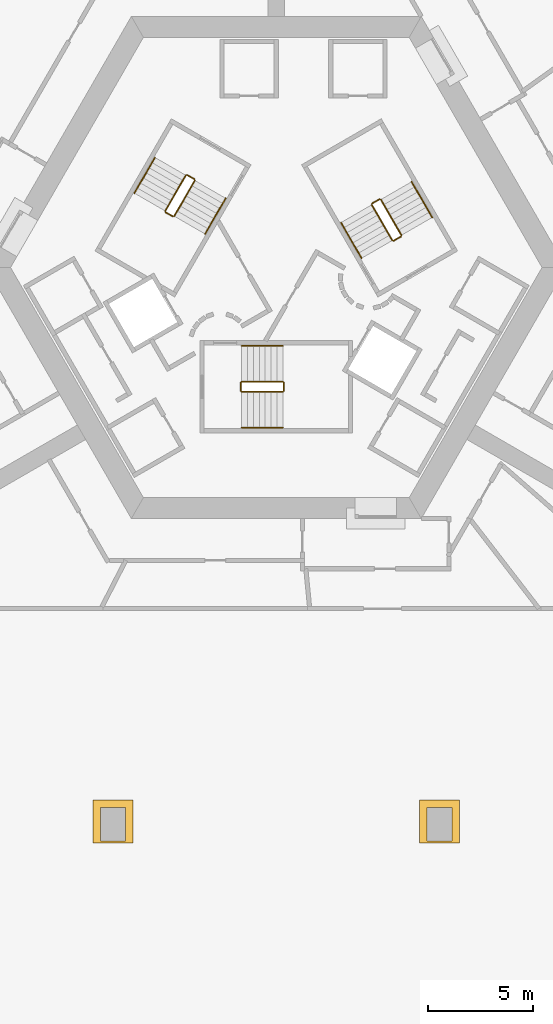
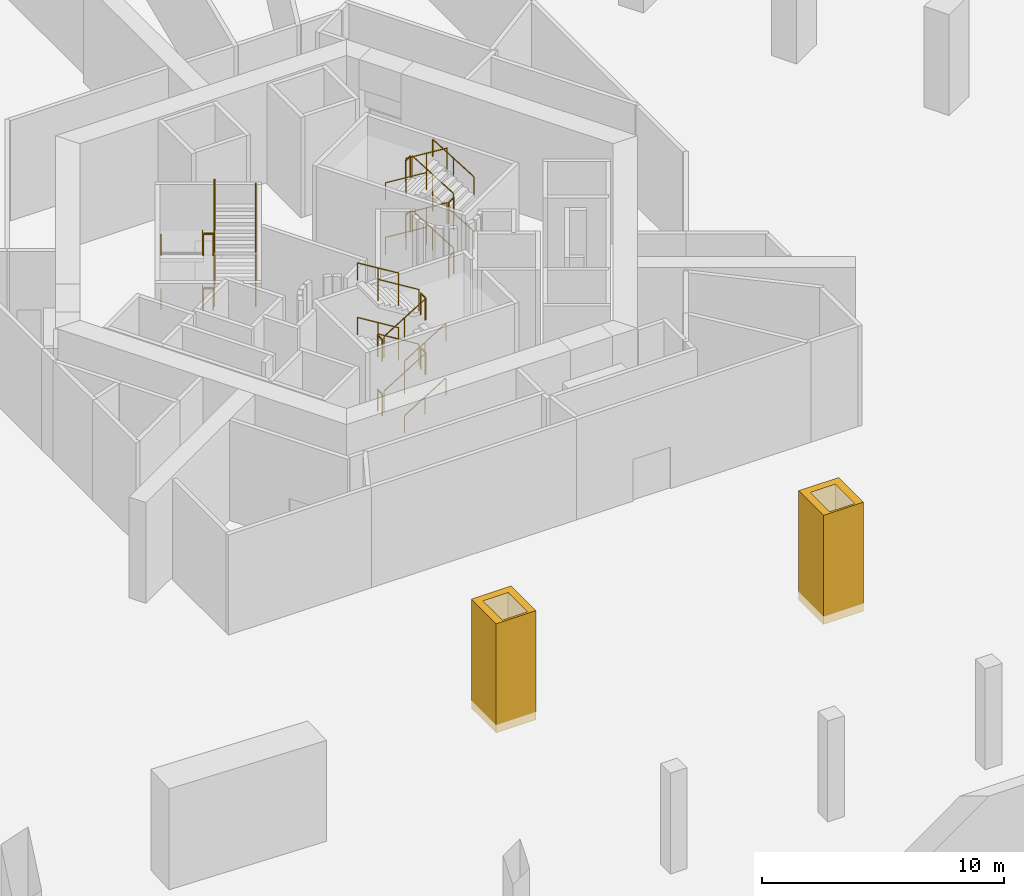
# One storey, part 11 of 12: 36 railings, 2 coverings.
"""IFC4 building model written with IfcOpenShell, lengths in metres."""

from ifc_helpers import new_model, si_unit, direction, frame, origin, origin_2d, place, context, subcontext, project, spatial, polyline, circle, outline, extrude, material, type_object, element, save


model = new_model("IFC4")

# Units and contexts
model_context = context("Model", 3, precision=1e-05, world=origin(), true_north=direction((0.0, 1.0)))
body_context = subcontext(model_context, "Body", "Model", "MODEL_VIEW")
ifc_project = project(units=[si_unit("LENGTHUNIT", "METRE"), si_unit("AREAUNIT", "SQUARE_METRE"), si_unit("VOLUMEUNIT", "CUBIC_METRE"), si_unit("PLANEANGLEUNIT", "RADIAN"), si_unit("MASSUNIT", "GRAM", prefix="KILO")], contexts=[model_context])

# Site, building, storey
site_placement = place(None, origin())
site = spatial("IfcSite", under=ifc_project, at=site_placement, CompositionType="ELEMENT")
building_placement = place(site_placement, origin())
building = spatial("IfcBuilding", under=site, at=building_placement, Name="Entoto Arch Interchange Tower", CompositionType="ELEMENT")
storey_placement = place(building_placement, frame((0.0, 0.0, -11.0)))
storey = spatial("IfcBuildingStorey", under=building, at=storey_placement, Name="B2", CompositionType="ELEMENT", Elevation=-11.0)

# Coverings
ifc_material_1 = material(Name="Board-marked precast concrete C50/60", Category="concrete")
covering_type = type_object("IfcCoveringType", Name="PRECAST FRAME COURSE", PredefinedType="CLADDING", material=ifc_material_1)
covering_1_placement = place(storey_placement, frame((0.0, 0.0, -0.419921875)))
element("IfcCovering", 1, at=covering_1_placement, inside=storey, type_object=covering_type, Name="Gate pier B2", PredefinedType="CLADDING", context=body_context, shape_type="SweptSolid", body=[
    extrude(outline(polyline([(-8.75, -22.949951171875), (-6.85009765625, -22.949951171875), (-6.85009765625, -24.9990234375), (-8.75, -24.9990234375), (-8.75, -22.949951171875)]), holes=[polyline([(-8.39990234375, -23.300048828125), (-8.39990234375, -24.89990234375), (-7.199951171875, -24.89990234375), (-7.199951171875, -23.300048828125), (-8.39990234375, -23.300048828125)])]), origin(), (0.0, 0.0, 1.0), 5.5),
])
covering_2_placement = place(storey_placement, frame((0.0, 0.0, -0.419921875)))
element("IfcCovering", 2, at=covering_2_placement, inside=storey, type_object=covering_type, Name="Gate pier B2", PredefinedType="CLADDING", context=body_context, shape_type="SweptSolid", body=[
    extrude(outline(polyline([(6.85009765625, -22.949951171875), (8.75, -22.949951171875), (8.75, -24.9990234375), (6.85009765625, -24.9990234375), (6.85009765625, -22.949951171875)]), holes=[polyline([(7.199951171875, -23.300048828125), (7.199951171875, -24.89990234375), (8.39990234375, -24.89990234375), (8.39990234375, -23.300048828125), (7.199951171875, -23.300048828125)])]), origin(), (0.0, 0.0, 1.0), 5.5),
])

# Railings
ifc_material_2 = material(Name="Stainless steel 1.4301", Category="steel")
railing_type_1 = type_object("IfcRailingType", Name="STAIR GUARD 1100 STEEL", PredefinedType="GUARDRAIL", material=ifc_material_2)
railing_1_placement = place(storey_placement, frame((-1.64990234375, -3.449951171875, 0.171875)))
element("IfcRailing", 3, at=railing_1_placement, inside=storey, type_object=railing_type_1, Name="B2 ST-S stair guard 1", PredefinedType="GUARDRAIL", context=body_context, shape_type="SweptSolid", body=[
    extrude(circle(Radius=0.02392578125, at=origin_2d()), frame((0.0, 0.0, 1.076171875), z_axis=(0.852240978134, 0.0, 0.523149419562), x_axis=(0.0, 1.0, 0.0)), (0.0, 0.0, 1.0), 2.2998046875),
    extrude(circle(Radius=0.02099609375, at=origin_2d()), origin(), (0.0, 0.0, 1.0), 1.052001953125),
    extrude(circle(Radius=0.02099609375, at=origin_2d()), frame((0.97998046875, 0.0, 0.6015625)), (0.0, 0.0, 1.0), 1.052001953125),
    extrude(circle(Radius=0.02099609375, at=origin_2d()), frame((1.9599609375, 0.0, 1.203125)), (0.0, 0.0, 1.0), 1.052001953125),
])
railing_2_placement = place(storey_placement, frame((0.360107421875, -3.39990234375, 1.375)))
element("IfcRailing", 4, at=railing_2_placement, inside=storey, type_object=railing_type_1, Name="B2 ST-S stair guard 2", PredefinedType="GUARDRAIL", context=body_context, shape_type="SweptSolid", body=[
    extrude(circle(Radius=0.02392578125, at=origin_2d()), frame((0.0, 0.0, 1.076171875), z_axis=(0.0, 1.0, 0.0), x_axis=(-1.0, 0.0, 0.0)), (0.0, 0.0, 1.0), 0.39990234375),
    extrude(circle(Radius=0.02099609375, at=origin_2d()), origin(), (0.0, 0.0, 1.0), 1.052001953125),
    extrude(circle(Radius=0.02099609375, at=origin_2d()), frame((0.0, 0.39990234375, 0.0)), (0.0, 0.0, 1.0), 1.052001953125),
])
railing_3_placement = place(storey_placement, frame((0.31005859375, -2.949951171875, 1.546875)))
element("IfcRailing", 5, at=railing_3_placement, inside=storey, type_object=railing_type_1, Name="B2 ST-S stair guard 3", PredefinedType="GUARDRAIL", context=body_context, shape_type="SweptSolid", body=[
    extrude(circle(Radius=0.02392578125, at=origin_2d()), frame((0.0, 0.0, 1.076171875), z_axis=(-0.852240978134, 0.0, 0.523149419562), x_axis=(0.0, -1.0, 0.0)), (0.0, 0.0, 1.0), 2.2998046875),
    extrude(circle(Radius=0.02099609375, at=origin_2d()), origin(), (0.0, 0.0, 1.0), 1.052001953125),
    extrude(circle(Radius=0.02099609375, at=origin_2d()), frame((-0.97998046875, 0.0, 0.6015625)), (0.0, 0.0, 1.0), 1.052001953125),
    extrude(circle(Radius=0.02099609375, at=origin_2d()), frame((-1.9599609375, 0.0, 1.203125)), (0.0, 0.0, 1.0), 1.052001953125),
])
railing_4_placement = place(storey_placement, frame((-1.699951171875, -3.39990234375, 2.75)))
element("IfcRailing", 6, at=railing_4_placement, inside=storey, type_object=railing_type_1, Name="B2 ST-S stair guard 4", PredefinedType="GUARDRAIL", context=body_context, shape_type="SweptSolid", body=[
    extrude(circle(Radius=0.02392578125, at=origin_2d()), frame((0.0, 0.0, 1.076171875), z_axis=(0.0, 1.0, 0.0), x_axis=(-1.0, 0.0, 0.0)), (0.0, 0.0, 1.0), 0.39990234375),
    extrude(circle(Radius=0.02099609375, at=origin_2d()), origin(), (0.0, 0.0, 1.0), 1.052001953125),
    extrude(circle(Radius=0.02099609375, at=origin_2d()), frame((0.0, 0.39990234375, 0.0)), (0.0, 0.0, 1.0), 1.052001953125),
])
railing_5_placement = place(storey_placement, frame((-1.64990234375, -3.449951171875, 2.921875)))
element("IfcRailing", 7, at=railing_5_placement, inside=storey, type_object=railing_type_1, Name="B2 ST-S stair guard 5", PredefinedType="GUARDRAIL", context=body_context, shape_type="SweptSolid", body=[
    extrude(circle(Radius=0.02392578125, at=origin_2d()), frame((0.0, 0.0, 1.076171875), z_axis=(0.852240978134, 0.0, 0.523149419562), x_axis=(0.0, 1.0, 0.0)), (0.0, 0.0, 1.0), 2.2998046875),
    extrude(circle(Radius=0.02099609375, at=origin_2d()), origin(), (0.0, 0.0, 1.0), 1.052001953125),
    extrude(circle(Radius=0.02099609375, at=origin_2d()), frame((0.97998046875, 0.0, 0.6015625)), (0.0, 0.0, 1.0), 1.052001953125),
    extrude(circle(Radius=0.02099609375, at=origin_2d()), frame((1.9599609375, 0.0, 1.203125)), (0.0, 0.0, 1.0), 1.052001953125),
])
railing_6_placement = place(storey_placement, frame((0.360107421875, -3.39990234375, 4.125)))
element("IfcRailing", 8, at=railing_6_placement, inside=storey, type_object=railing_type_1, Name="B2 ST-S stair guard 6", PredefinedType="GUARDRAIL", context=body_context, shape_type="SweptSolid", body=[
    extrude(circle(Radius=0.02392578125, at=origin_2d()), frame((0.0, 0.0, 1.076171875), z_axis=(0.0, 1.0, 0.0), x_axis=(-1.0, 0.0, 0.0)), (0.0, 0.0, 1.0), 0.39990234375),
    extrude(circle(Radius=0.02099609375, at=origin_2d()), origin(), (0.0, 0.0, 1.0), 1.052001953125),
    extrude(circle(Radius=0.02099609375, at=origin_2d()), frame((0.0, 0.39990234375, 0.0)), (0.0, 0.0, 1.0), 1.052001953125),
])
railing_7_placement = place(storey_placement, frame((0.31005859375, -2.949951171875, 4.296875)))
element("IfcRailing", 9, at=railing_7_placement, inside=storey, type_object=railing_type_1, Name="B2 ST-S stair guard 7", PredefinedType="GUARDRAIL", context=body_context, shape_type="SweptSolid", body=[
    extrude(circle(Radius=0.02392578125, at=origin_2d()), frame((0.0, 0.0, 1.076171875), z_axis=(-0.852240978134, 0.0, 0.523149419562), x_axis=(0.0, -1.0, 0.0)), (0.0, 0.0, 1.0), 2.2998046875),
    extrude(circle(Radius=0.02099609375, at=origin_2d()), origin(), (0.0, 0.0, 1.0), 1.052001953125),
    extrude(circle(Radius=0.02099609375, at=origin_2d()), frame((-0.97998046875, 0.0, 0.6015625)), (0.0, 0.0, 1.0), 1.052001953125),
    extrude(circle(Radius=0.02099609375, at=origin_2d()), frame((-1.9599609375, 0.0, 1.203125)), (0.0, 0.0, 1.0), 1.052001953125),
])
railing_8_placement = place(storey_placement, frame((-1.699951171875, -3.39990234375, 0.0)))
element("IfcRailing", 10, at=railing_8_placement, inside=storey, type_object=railing_type_1, Name="B2 ST-S stair guard 8", PredefinedType="GUARDRAIL", context=body_context, shape_type="SweptSolid", body=[
    extrude(circle(Radius=0.02392578125, at=origin_2d()), frame((0.0, 0.0, 1.076171875), z_axis=(0.0, 1.0, 0.0), x_axis=(-1.0, 0.0, 0.0)), (0.0, 0.0, 1.0), 0.39990234375),
    extrude(circle(Radius=0.02099609375, at=origin_2d()), origin(), (0.0, 0.0, 1.0), 1.052001953125),
    extrude(circle(Radius=0.02099609375, at=origin_2d()), frame((0.0, 0.39990234375, 0.0)), (0.0, 0.0, 1.0), 1.052001953125),
])
railing_9_placement = place(storey_placement, frame((5.977783203125, 4.046142578125, 0.171875)))
element("IfcRailing", 11, at=railing_9_placement, inside=storey, type_object=railing_type_1, Name="B2 ST-NE stair guard 1", PredefinedType="GUARDRAIL", context=body_context, shape_type="SweptSolid", body=[
    extrude(circle(Radius=0.02392578125, at=origin_2d()), frame((0.0, 0.0, 1.076171875), z_axis=(-0.42613557846, 0.738040493636, 0.523167944856), x_axis=(-0.866011328839, -0.500024377727, 0.0)), (0.0, 0.0, 1.0), 2.2998046875),
    extrude(circle(Radius=0.02099609375, at=origin_2d()), origin(), (0.0, 0.0, 1.0), 1.052001953125),
    extrude(circle(Radius=0.02099609375, at=origin_2d()), frame((-0.489990234375, 0.8486328125, 0.6015625)), (0.0, 0.0, 1.0), 1.052001953125),
    extrude(circle(Radius=0.02099609375, at=origin_2d()), frame((-0.97998046875, 1.697265625, 1.203125)), (0.0, 0.0, 1.0), 1.052001953125),
])
railing_10_placement = place(storey_placement, frame((4.929443359375, 5.76171875, 1.375)))
element("IfcRailing", 12, at=railing_10_placement, inside=storey, type_object=railing_type_1, Name="B2 ST-NE stair guard 2", PredefinedType="GUARDRAIL", context=body_context, shape_type="SweptSolid", body=[
    extrude(circle(Radius=0.02392578125, at=origin_2d()), frame((0.0, 0.0, 1.076171875), z_axis=(-0.865941482684, -0.500145327446, 0.0), x_axis=(0.500145327446, -0.865941482684, 0.0)), (0.0, 0.0, 1.0), 0.39990234375),
    extrude(circle(Radius=0.02099609375, at=origin_2d()), origin(), (0.0, 0.0, 1.0), 1.052001953125),
    extrude(circle(Radius=0.02099609375, at=origin_2d()), frame((-0.34619140625, -0.199951171875, 0.0)), (0.0, 0.0, 1.0), 1.052001953125),
])
railing_11_placement = place(storey_placement, frame((4.56494140625, 5.493408203125, 1.546875)))
element("IfcRailing", 13, at=railing_11_placement, inside=storey, type_object=railing_type_1, Name="B2 ST-NE stair guard 3", PredefinedType="GUARDRAIL", context=body_context, shape_type="SweptSolid", body=[
    extrude(circle(Radius=0.02392578125, at=origin_2d()), frame((0.0, 0.0, 1.076171875), z_axis=(0.42613557846, -0.738040493636, 0.523167944856), x_axis=(0.866011328839, 0.500024377727, 0.0)), (0.0, 0.0, 1.0), 2.2998046875),
    extrude(circle(Radius=0.02099609375, at=origin_2d()), origin(), (0.0, 0.0, 1.0), 1.052001953125),
    extrude(circle(Radius=0.02099609375, at=origin_2d()), frame((0.489990234375, -0.8486328125, 0.6015625)), (0.0, 0.0, 1.0), 1.052001953125),
    extrude(circle(Radius=0.02099609375, at=origin_2d()), frame((0.97998046875, -1.697265625, 1.203125)), (0.0, 0.0, 1.0), 1.052001953125),
])
railing_12_placement = place(storey_placement, frame((5.95947265625, 3.977783203125, 2.75)))
element("IfcRailing", 14, at=railing_12_placement, inside=storey, type_object=railing_type_1, Name="B2 ST-NE stair guard 4", PredefinedType="GUARDRAIL", context=body_context, shape_type="SweptSolid", body=[
    extrude(circle(Radius=0.02392578125, at=origin_2d()), frame((0.0, 0.0, 1.076171875), z_axis=(-0.866094119867, -0.499880961361, 0.0), x_axis=(0.499880961361, -0.866094119867, 0.0)), (0.0, 0.0, 1.0), 0.39990234375),
    extrude(circle(Radius=0.02099609375, at=origin_2d()), origin(), (0.0, 0.0, 1.0), 1.052001953125),
    extrude(circle(Radius=0.02099609375, at=origin_2d()), frame((-0.346435546875, -0.199951171875, 0.0)), (0.0, 0.0, 1.0), 1.052001953125),
])
railing_13_placement = place(storey_placement, frame((5.977783203125, 4.046142578125, 2.921875)))
element("IfcRailing", 15, at=railing_13_placement, inside=storey, type_object=railing_type_1, Name="B2 ST-NE stair guard 5", PredefinedType="GUARDRAIL", context=body_context, shape_type="SweptSolid", body=[
    extrude(circle(Radius=0.02392578125, at=origin_2d()), frame((0.0, 0.0, 1.076171875), z_axis=(-0.42613557846, 0.738040493636, 0.523167944856), x_axis=(-0.866011328839, -0.500024377727, 0.0)), (0.0, 0.0, 1.0), 2.2998046875),
    extrude(circle(Radius=0.02099609375, at=origin_2d()), origin(), (0.0, 0.0, 1.0), 1.052001953125),
    extrude(circle(Radius=0.02099609375, at=origin_2d()), frame((-0.489990234375, 0.8486328125, 0.6015625)), (0.0, 0.0, 1.0), 1.052001953125),
    extrude(circle(Radius=0.02099609375, at=origin_2d()), frame((-0.97998046875, 1.697265625, 1.203125)), (0.0, 0.0, 1.0), 1.052001953125),
])
railing_14_placement = place(storey_placement, frame((4.929443359375, 5.76171875, 4.125)))
element("IfcRailing", 16, at=railing_14_placement, inside=storey, type_object=railing_type_1, Name="B2 ST-NE stair guard 6", PredefinedType="GUARDRAIL", context=body_context, shape_type="SweptSolid", body=[
    extrude(circle(Radius=0.02392578125, at=origin_2d()), frame((0.0, 0.0, 1.076171875), z_axis=(-0.865941482684, -0.500145327446, 0.0), x_axis=(0.500145327446, -0.865941482684, 0.0)), (0.0, 0.0, 1.0), 0.39990234375),
    extrude(circle(Radius=0.02099609375, at=origin_2d()), origin(), (0.0, 0.0, 1.0), 1.052001953125),
    extrude(circle(Radius=0.02099609375, at=origin_2d()), frame((-0.34619140625, -0.199951171875, 0.0)), (0.0, 0.0, 1.0), 1.052001953125),
])
railing_15_placement = place(storey_placement, frame((4.56494140625, 5.493408203125, 4.296875)))
element("IfcRailing", 17, at=railing_15_placement, inside=storey, type_object=railing_type_1, Name="B2 ST-NE stair guard 7", PredefinedType="GUARDRAIL", context=body_context, shape_type="SweptSolid", body=[
    extrude(circle(Radius=0.02392578125, at=origin_2d()), frame((0.0, 0.0, 1.076171875), z_axis=(0.42613557846, -0.738040493636, 0.523167944856), x_axis=(0.866011328839, 0.500024377727, 0.0)), (0.0, 0.0, 1.0), 2.2998046875),
    extrude(circle(Radius=0.02099609375, at=origin_2d()), origin(), (0.0, 0.0, 1.0), 1.052001953125),
    extrude(circle(Radius=0.02099609375, at=origin_2d()), frame((0.489990234375, -0.8486328125, 0.6015625)), (0.0, 0.0, 1.0), 1.052001953125),
    extrude(circle(Radius=0.02099609375, at=origin_2d()), frame((0.97998046875, -1.697265625, 1.203125)), (0.0, 0.0, 1.0), 1.052001953125),
])
railing_16_placement = place(storey_placement, frame((5.95947265625, 3.977783203125, 0.0)))
element("IfcRailing", 18, at=railing_16_placement, inside=storey, type_object=railing_type_1, Name="B2 ST-NE stair guard 8", PredefinedType="GUARDRAIL", context=body_context, shape_type="SweptSolid", body=[
    extrude(circle(Radius=0.02392578125, at=origin_2d()), frame((0.0, 0.0, 1.076171875), z_axis=(-0.866094119867, -0.499880961361, 0.0), x_axis=(0.499880961361, -0.866094119867, 0.0)), (0.0, 0.0, 1.0), 0.39990234375),
    extrude(circle(Radius=0.02099609375, at=origin_2d()), origin(), (0.0, 0.0, 1.0), 1.052001953125),
    extrude(circle(Radius=0.02099609375, at=origin_2d()), frame((-0.346435546875, -0.199951171875, 0.0)), (0.0, 0.0, 1.0), 1.052001953125),
])
railing_17_placement = place(storey_placement, frame((-4.327880859375, 6.904052734375, 0.171875)))
element("IfcRailing", 19, at=railing_17_placement, inside=storey, type_object=railing_type_1, Name="B2 ST-NW stair guard 1", PredefinedType="GUARDRAIL", context=body_context, shape_type="SweptSolid", body=[
    extrude(circle(Radius=0.02392578125, at=origin_2d()), frame((0.0, 0.0, 1.076171875), z_axis=(-0.426102191367, -0.738088823262, 0.52312695542), x_axis=(0.866042469362, -0.499970440388, 0.0)), (0.0, 0.0, 1.0), 2.2998046875),
    extrude(circle(Radius=0.02099609375, at=origin_2d()), origin(), (0.0, 0.0, 1.0), 1.052001953125),
    extrude(circle(Radius=0.02099609375, at=origin_2d()), frame((-0.489990234375, -0.8486328125, 0.6015625)), (0.0, 0.0, 1.0), 1.052001953125),
    extrude(circle(Radius=0.02099609375, at=origin_2d()), frame((-0.97998046875, -1.697509765625, 1.203125)), (0.0, 0.0, 1.0), 1.052001953125),
])
railing_18_placement = place(storey_placement, frame((-5.28955078125, 5.13818359375, 1.375)))
element("IfcRailing", 20, at=railing_18_placement, inside=storey, type_object=railing_type_1, Name="B2 ST-NW stair guard 2", PredefinedType="GUARDRAIL", context=body_context, shape_type="SweptSolid", body=[
    extrude(circle(Radius=0.02392578125, at=origin_2d()), frame((0.0, 0.0, 1.076171875), z_axis=(0.866094119867, -0.499880961361, 0.0), x_axis=(0.499880961361, 0.866094119867, 0.0)), (0.0, 0.0, 1.0), 0.39990234375),
    extrude(circle(Radius=0.02099609375, at=origin_2d()), origin(), (0.0, 0.0, 1.0), 1.052001953125),
    extrude(circle(Radius=0.02099609375, at=origin_2d()), frame((0.346435546875, -0.199951171875, 0.0)), (0.0, 0.0, 1.0), 1.052001953125),
])
railing_19_placement = place(storey_placement, frame((-4.874755859375, 4.95654296875, 1.546875)))
element("IfcRailing", 21, at=railing_19_placement, inside=storey, type_object=railing_type_1, Name="B2 ST-NW stair guard 3", PredefinedType="GUARDRAIL", context=body_context, shape_type="SweptSolid", body=[
    extrude(circle(Radius=0.02392578125, at=origin_2d()), frame((0.0, 0.0, 1.076171875), z_axis=(0.426102191367, 0.738088823262, 0.52312695542), x_axis=(-0.866042469362, 0.499970440388, 0.0)), (0.0, 0.0, 1.0), 2.2998046875),
    extrude(circle(Radius=0.02099609375, at=origin_2d()), origin(), (0.0, 0.0, 1.0), 1.052001953125),
    extrude(circle(Radius=0.02099609375, at=origin_2d()), frame((0.489990234375, 0.8486328125, 0.6015625)), (0.0, 0.0, 1.0), 1.052001953125),
    extrude(circle(Radius=0.02099609375, at=origin_2d()), frame((0.97998046875, 1.697509765625, 1.203125)), (0.0, 0.0, 1.0), 1.052001953125),
])
railing_20_placement = place(storey_placement, frame((-4.259521484375, 6.92236328125, 2.75)))
element("IfcRailing", 22, at=railing_20_placement, inside=storey, type_object=railing_type_1, Name="B2 ST-NW stair guard 4", PredefinedType="GUARDRAIL", context=body_context, shape_type="SweptSolid", body=[
    extrude(circle(Radius=0.02392578125, at=origin_2d()), frame((0.0, 0.0, 1.076171875), z_axis=(0.865829829939, -0.500338590944, 0.0), x_axis=(0.500338590944, 0.865829829939, 0.0)), (0.0, 0.0, 1.0), 0.400146484375),
    extrude(circle(Radius=0.02099609375, at=origin_2d()), origin(), (0.0, 0.0, 1.0), 1.052001953125),
    extrude(circle(Radius=0.02099609375, at=origin_2d()), frame((0.346435546875, -0.2001953125, 0.0)), (0.0, 0.0, 1.0), 1.052001953125),
])
railing_21_placement = place(storey_placement, frame((-4.327880859375, 6.904052734375, 2.921875)))
element("IfcRailing", 23, at=railing_21_placement, inside=storey, type_object=railing_type_1, Name="B2 ST-NW stair guard 5", PredefinedType="GUARDRAIL", context=body_context, shape_type="SweptSolid", body=[
    extrude(circle(Radius=0.02392578125, at=origin_2d()), frame((0.0, 0.0, 1.076171875), z_axis=(-0.426102191367, -0.738088823262, 0.52312695542), x_axis=(0.866042469362, -0.499970440388, 0.0)), (0.0, 0.0, 1.0), 2.2998046875),
    extrude(circle(Radius=0.02099609375, at=origin_2d()), origin(), (0.0, 0.0, 1.0), 1.052001953125),
    extrude(circle(Radius=0.02099609375, at=origin_2d()), frame((-0.489990234375, -0.8486328125, 0.6015625)), (0.0, 0.0, 1.0), 1.052001953125),
    extrude(circle(Radius=0.02099609375, at=origin_2d()), frame((-0.97998046875, -1.697509765625, 1.203125)), (0.0, 0.0, 1.0), 1.052001953125),
])
railing_22_placement = place(storey_placement, frame((-5.28955078125, 5.13818359375, 4.125)))
element("IfcRailing", 24, at=railing_22_placement, inside=storey, type_object=railing_type_1, Name="B2 ST-NW stair guard 6", PredefinedType="GUARDRAIL", context=body_context, shape_type="SweptSolid", body=[
    extrude(circle(Radius=0.02392578125, at=origin_2d()), frame((0.0, 0.0, 1.076171875), z_axis=(0.866094119867, -0.499880961361, 0.0), x_axis=(0.499880961361, 0.866094119867, 0.0)), (0.0, 0.0, 1.0), 0.39990234375),
    extrude(circle(Radius=0.02099609375, at=origin_2d()), origin(), (0.0, 0.0, 1.0), 1.052001953125),
    extrude(circle(Radius=0.02099609375, at=origin_2d()), frame((0.346435546875, -0.199951171875, 0.0)), (0.0, 0.0, 1.0), 1.052001953125),
])
railing_23_placement = place(storey_placement, frame((-4.874755859375, 4.95654296875, 4.296875)))
element("IfcRailing", 25, at=railing_23_placement, inside=storey, type_object=railing_type_1, Name="B2 ST-NW stair guard 7", PredefinedType="GUARDRAIL", context=body_context, shape_type="SweptSolid", body=[
    extrude(circle(Radius=0.02392578125, at=origin_2d()), frame((0.0, 0.0, 1.076171875), z_axis=(0.426102191367, 0.738088823262, 0.52312695542), x_axis=(-0.866042469362, 0.499970440388, 0.0)), (0.0, 0.0, 1.0), 2.2998046875),
    extrude(circle(Radius=0.02099609375, at=origin_2d()), origin(), (0.0, 0.0, 1.0), 1.052001953125),
    extrude(circle(Radius=0.02099609375, at=origin_2d()), frame((0.489990234375, 0.8486328125, 0.6015625)), (0.0, 0.0, 1.0), 1.052001953125),
    extrude(circle(Radius=0.02099609375, at=origin_2d()), frame((0.97998046875, 1.697509765625, 1.203125)), (0.0, 0.0, 1.0), 1.052001953125),
])
railing_24_placement = place(storey_placement, frame((-4.259521484375, 6.92236328125, 0.0)))
element("IfcRailing", 26, at=railing_24_placement, inside=storey, type_object=railing_type_1, Name="B2 ST-NW stair guard 8", PredefinedType="GUARDRAIL", context=body_context, shape_type="SweptSolid", body=[
    extrude(circle(Radius=0.02392578125, at=origin_2d()), frame((0.0, 0.0, 1.076171875), z_axis=(0.865829829939, -0.500338590944, 0.0), x_axis=(0.500338590944, 0.865829829939, 0.0)), (0.0, 0.0, 1.0), 0.400146484375),
    extrude(circle(Radius=0.02099609375, at=origin_2d()), origin(), (0.0, 0.0, 1.0), 1.052001953125),
    extrude(circle(Radius=0.02099609375, at=origin_2d()), frame((0.346435546875, -0.2001953125, 0.0)), (0.0, 0.0, 1.0), 1.052001953125),
])
railing_type_2 = type_object("IfcRailingType", Name="STAIR HANDRAIL 900 STEEL", PredefinedType="HANDRAIL", material=ifc_material_2)
railing_25_placement = place(storey_placement, frame((-1.64990234375, -5.14990234375, 0.171875)))
element("IfcRailing", 27, at=railing_25_placement, inside=storey, type_object=railing_type_2, Name="B2 ST-S stair handrail 1", PredefinedType="HANDRAIL", context=body_context, shape_type="SweptSolid", body=[
    extrude(circle(Radius=0.02392578125, at=origin_2d()), frame((0.0, 0.0, 0.8759765625), z_axis=(0.852240978134, 0.0, 0.523149419562), x_axis=(0.0, 1.0, 0.0)), (0.0, 0.0, 1.0), 2.2998046875),
    extrude(circle(Radius=0.02099609375, at=origin_2d()), origin(), (0.0, 0.0, 1.0), 0.851806640625),
    extrude(circle(Radius=0.02099609375, at=origin_2d()), frame((0.97998046875, 0.0, 0.6015625)), (0.0, 0.0, 1.0), 0.851806640625),
    extrude(circle(Radius=0.02099609375, at=origin_2d()), frame((1.9599609375, 0.0, 1.203125)), (0.0, 0.0, 1.0), 0.851806640625),
])
railing_26_placement = place(storey_placement, frame((0.31005859375, -1.25, 1.546875)))
element("IfcRailing", 28, at=railing_26_placement, inside=storey, type_object=railing_type_2, Name="B2 ST-S stair handrail 2", PredefinedType="HANDRAIL", context=body_context, shape_type="SweptSolid", body=[
    extrude(circle(Radius=0.02392578125, at=origin_2d()), frame((0.0, 0.0, 0.8759765625), z_axis=(-0.852240978134, 0.0, 0.523149419562), x_axis=(0.0, -1.0, 0.0)), (0.0, 0.0, 1.0), 2.2998046875),
    extrude(circle(Radius=0.02099609375, at=origin_2d()), origin(), (0.0, 0.0, 1.0), 0.851806640625),
    extrude(circle(Radius=0.02099609375, at=origin_2d()), frame((-0.97998046875, 0.0, 0.6015625)), (0.0, 0.0, 1.0), 0.851806640625),
    extrude(circle(Radius=0.02099609375, at=origin_2d()), frame((-1.9599609375, 0.0, 1.203125)), (0.0, 0.0, 1.0), 0.851806640625),
])
railing_27_placement = place(storey_placement, frame((-1.64990234375, -5.14990234375, 2.921875)))
element("IfcRailing", 29, at=railing_27_placement, inside=storey, type_object=railing_type_2, Name="B2 ST-S stair handrail 3", PredefinedType="HANDRAIL", context=body_context, shape_type="SweptSolid", body=[
    extrude(circle(Radius=0.02392578125, at=origin_2d()), frame((0.0, 0.0, 0.8759765625), z_axis=(0.852240978134, 0.0, 0.523149419562), x_axis=(0.0, 1.0, 0.0)), (0.0, 0.0, 1.0), 2.2998046875),
    extrude(circle(Radius=0.02099609375, at=origin_2d()), origin(), (0.0, 0.0, 1.0), 0.851806640625),
    extrude(circle(Radius=0.02099609375, at=origin_2d()), frame((0.97998046875, 0.0, 0.6015625)), (0.0, 0.0, 1.0), 0.851806640625),
    extrude(circle(Radius=0.02099609375, at=origin_2d()), frame((1.9599609375, 0.0, 1.203125)), (0.0, 0.0, 1.0), 0.851806640625),
])
railing_28_placement = place(storey_placement, frame((0.31005859375, -1.25, 4.296875)))
element("IfcRailing", 30, at=railing_28_placement, inside=storey, type_object=railing_type_2, Name="B2 ST-S stair handrail 4", PredefinedType="HANDRAIL", context=body_context, shape_type="SweptSolid", body=[
    extrude(circle(Radius=0.02392578125, at=origin_2d()), frame((0.0, 0.0, 0.8759765625), z_axis=(-0.852240978134, 0.0, 0.523149419562), x_axis=(0.0, -1.0, 0.0)), (0.0, 0.0, 1.0), 2.2998046875),
    extrude(circle(Radius=0.02099609375, at=origin_2d()), origin(), (0.0, 0.0, 1.0), 0.851806640625),
    extrude(circle(Radius=0.02099609375, at=origin_2d()), frame((-0.97998046875, 0.0, 0.6015625)), (0.0, 0.0, 1.0), 0.851806640625),
    extrude(circle(Radius=0.02099609375, at=origin_2d()), frame((-1.9599609375, 0.0, 1.203125)), (0.0, 0.0, 1.0), 0.851806640625),
])
railing_29_placement = place(storey_placement, frame((7.4501953125, 4.89599609375, 0.171875)))
element("IfcRailing", 31, at=railing_29_placement, inside=storey, type_object=railing_type_2, Name="B2 ST-NE stair handrail 1", PredefinedType="HANDRAIL", context=body_context, shape_type="SweptSolid", body=[
    extrude(circle(Radius=0.02392578125, at=origin_2d()), frame((0.0, 0.0, 0.8759765625), z_axis=(-0.426102191367, 0.738088823262, 0.52312695542), x_axis=(-0.866042469362, -0.499970440388, 0.0)), (0.0, 0.0, 1.0), 2.2998046875),
    extrude(circle(Radius=0.02099609375, at=origin_2d()), origin(), (0.0, 0.0, 1.0), 0.851806640625),
    extrude(circle(Radius=0.02099609375, at=origin_2d()), frame((-0.489990234375, 0.8486328125, 0.6015625)), (0.0, 0.0, 1.0), 0.851806640625),
    extrude(circle(Radius=0.02099609375, at=origin_2d()), frame((-0.97998046875, 1.697509765625, 1.203125)), (0.0, 0.0, 1.0), 0.851806640625),
])
railing_30_placement = place(storey_placement, frame((3.092529296875, 4.6435546875, 1.546875)))
element("IfcRailing", 32, at=railing_30_placement, inside=storey, type_object=railing_type_2, Name="B2 ST-NE stair handrail 2", PredefinedType="HANDRAIL", context=body_context, shape_type="SweptSolid", body=[
    extrude(circle(Radius=0.02392578125, at=origin_2d()), frame((0.0, 0.0, 0.8759765625), z_axis=(0.426102191367, -0.738088823262, 0.52312695542), x_axis=(0.866042469362, 0.499970440388, 0.0)), (0.0, 0.0, 1.0), 2.2998046875),
    extrude(circle(Radius=0.02099609375, at=origin_2d()), origin(), (0.0, 0.0, 1.0), 0.851806640625),
    extrude(circle(Radius=0.02099609375, at=origin_2d()), frame((0.489990234375, -0.8486328125, 0.6015625)), (0.0, 0.0, 1.0), 0.851806640625),
    extrude(circle(Radius=0.02099609375, at=origin_2d()), frame((0.97998046875, -1.697509765625, 1.203125)), (0.0, 0.0, 1.0), 0.851806640625),
])
railing_31_placement = place(storey_placement, frame((7.4501953125, 4.89599609375, 2.921875)))
element("IfcRailing", 33, at=railing_31_placement, inside=storey, type_object=railing_type_2, Name="B2 ST-NE stair handrail 3", PredefinedType="HANDRAIL", context=body_context, shape_type="SweptSolid", body=[
    extrude(circle(Radius=0.02392578125, at=origin_2d()), frame((0.0, 0.0, 0.8759765625), z_axis=(-0.426102191367, 0.738088823262, 0.52312695542), x_axis=(-0.866042469362, -0.499970440388, 0.0)), (0.0, 0.0, 1.0), 2.2998046875),
    extrude(circle(Radius=0.02099609375, at=origin_2d()), origin(), (0.0, 0.0, 1.0), 0.851806640625),
    extrude(circle(Radius=0.02099609375, at=origin_2d()), frame((-0.489990234375, 0.8486328125, 0.6015625)), (0.0, 0.0, 1.0), 0.851806640625),
    extrude(circle(Radius=0.02099609375, at=origin_2d()), frame((-0.97998046875, 1.697509765625, 1.203125)), (0.0, 0.0, 1.0), 0.851806640625),
])
railing_32_placement = place(storey_placement, frame((3.092529296875, 4.6435546875, 4.296875)))
element("IfcRailing", 34, at=railing_32_placement, inside=storey, type_object=railing_type_2, Name="B2 ST-NE stair handrail 4", PredefinedType="HANDRAIL", context=body_context, shape_type="SweptSolid", body=[
    extrude(circle(Radius=0.02392578125, at=origin_2d()), frame((0.0, 0.0, 0.8759765625), z_axis=(0.426102191367, -0.738088823262, 0.52312695542), x_axis=(0.866042469362, 0.499970440388, 0.0)), (0.0, 0.0, 1.0), 2.2998046875),
    extrude(circle(Radius=0.02099609375, at=origin_2d()), origin(), (0.0, 0.0, 1.0), 0.851806640625),
    extrude(circle(Radius=0.02099609375, at=origin_2d()), frame((0.489990234375, -0.8486328125, 0.6015625)), (0.0, 0.0, 1.0), 0.851806640625),
    extrude(circle(Radius=0.02099609375, at=origin_2d()), frame((0.97998046875, -1.697509765625, 1.203125)), (0.0, 0.0, 1.0), 0.851806640625),
])
railing_33_placement = place(storey_placement, frame((-5.800048828125, 7.75390625, 0.171875)))
element("IfcRailing", 35, at=railing_33_placement, inside=storey, type_object=railing_type_2, Name="B2 ST-NW stair handrail 1", PredefinedType="HANDRAIL", context=body_context, shape_type="SweptSolid", body=[
    extrude(circle(Radius=0.02392578125, at=origin_2d()), frame((0.0, 0.0, 0.8759765625), z_axis=(-0.42613557846, -0.738040493636, 0.523167944856), x_axis=(0.866011328839, -0.500024377727, 0.0)), (0.0, 0.0, 1.0), 2.2998046875),
    extrude(circle(Radius=0.02099609375, at=origin_2d()), origin(), (0.0, 0.0, 1.0), 0.851806640625),
    extrude(circle(Radius=0.02099609375, at=origin_2d()), frame((-0.489990234375, -0.8486328125, 0.6015625)), (0.0, 0.0, 1.0), 0.851806640625),
    extrude(circle(Radius=0.02099609375, at=origin_2d()), frame((-0.97998046875, -1.697265625, 1.203125)), (0.0, 0.0, 1.0), 0.851806640625),
])
railing_34_placement = place(storey_placement, frame((-3.402587890625, 4.1064453125, 1.546875)))
element("IfcRailing", 36, at=railing_34_placement, inside=storey, type_object=railing_type_2, Name="B2 ST-NW stair handrail 2", PredefinedType="HANDRAIL", context=body_context, shape_type="SweptSolid", body=[
    extrude(circle(Radius=0.02392578125, at=origin_2d()), frame((0.0, 0.0, 0.8759765625), z_axis=(0.426102191367, 0.738088823262, 0.52312695542), x_axis=(-0.866042469362, 0.499970440388, 0.0)), (0.0, 0.0, 1.0), 2.2998046875),
    extrude(circle(Radius=0.02099609375, at=origin_2d()), origin(), (0.0, 0.0, 1.0), 0.851806640625),
    extrude(circle(Radius=0.02099609375, at=origin_2d()), frame((0.489990234375, 0.8486328125, 0.6015625)), (0.0, 0.0, 1.0), 0.851806640625),
    extrude(circle(Radius=0.02099609375, at=origin_2d()), frame((0.97998046875, 1.697509765625, 1.203125)), (0.0, 0.0, 1.0), 0.851806640625),
])
railing_35_placement = place(storey_placement, frame((-5.800048828125, 7.75390625, 2.921875)))
element("IfcRailing", 37, at=railing_35_placement, inside=storey, type_object=railing_type_2, Name="B2 ST-NW stair handrail 3", PredefinedType="HANDRAIL", context=body_context, shape_type="SweptSolid", body=[
    extrude(circle(Radius=0.02392578125, at=origin_2d()), frame((0.0, 0.0, 0.8759765625), z_axis=(-0.42613557846, -0.738040493636, 0.523167944856), x_axis=(0.866011328839, -0.500024377727, 0.0)), (0.0, 0.0, 1.0), 2.2998046875),
    extrude(circle(Radius=0.02099609375, at=origin_2d()), origin(), (0.0, 0.0, 1.0), 0.851806640625),
    extrude(circle(Radius=0.02099609375, at=origin_2d()), frame((-0.489990234375, -0.8486328125, 0.6015625)), (0.0, 0.0, 1.0), 0.851806640625),
    extrude(circle(Radius=0.02099609375, at=origin_2d()), frame((-0.97998046875, -1.697265625, 1.203125)), (0.0, 0.0, 1.0), 0.851806640625),
])
railing_36_placement = place(storey_placement, frame((-3.402587890625, 4.1064453125, 4.296875)))
element("IfcRailing", 38, at=railing_36_placement, inside=storey, type_object=railing_type_2, Name="B2 ST-NW stair handrail 4", PredefinedType="HANDRAIL", context=body_context, shape_type="SweptSolid", body=[
    extrude(circle(Radius=0.02392578125, at=origin_2d()), frame((0.0, 0.0, 0.8759765625), z_axis=(0.426102191367, 0.738088823262, 0.52312695542), x_axis=(-0.866042469362, 0.499970440388, 0.0)), (0.0, 0.0, 1.0), 2.2998046875),
    extrude(circle(Radius=0.02099609375, at=origin_2d()), origin(), (0.0, 0.0, 1.0), 0.851806640625),
    extrude(circle(Radius=0.02099609375, at=origin_2d()), frame((0.489990234375, 0.8486328125, 0.6015625)), (0.0, 0.0, 1.0), 0.851806640625),
    extrude(circle(Radius=0.02099609375, at=origin_2d()), frame((0.97998046875, 1.697509765625, 1.203125)), (0.0, 0.0, 1.0), 0.851806640625),
])

save(model, "model.ifc")
